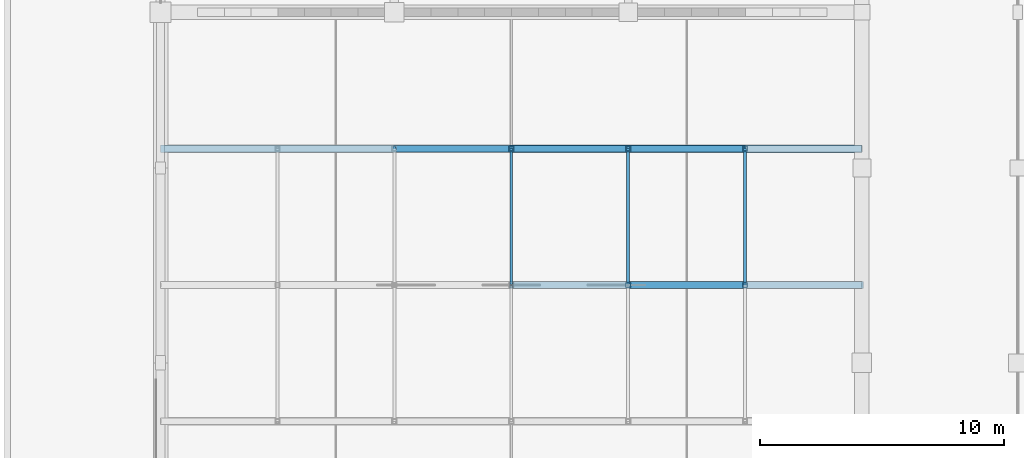
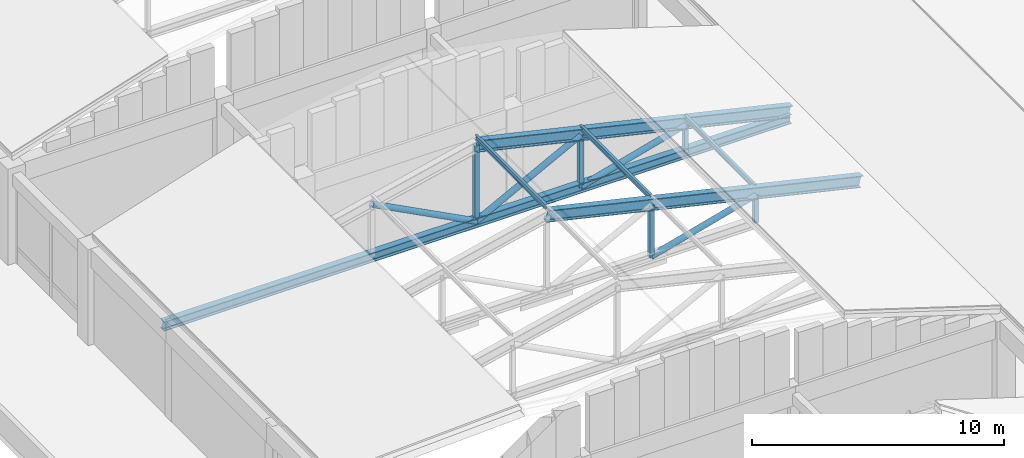
# One storey, part 8 of 61: 15 members.
"""IFC4 building model written with IfcOpenShell, lengths in metres."""

from ifc_helpers import new_model, si_unit, direction, frame, origin, origin_2d, place, context, subcontext, project, spatial, hollow_rectangle, hollow_circle, i_section, extrude, material, material_profile, profile_set, type_object, element, save


model = new_model("IFC4")

# Units and contexts
model_context = context("Model", 3, precision=1e-05, world=origin(), true_north=direction((0.0, 1.0)))
body_context = subcontext(model_context, "Body", "Model", "MODEL_VIEW")
ifc_project = project(units=[si_unit("LENGTHUNIT", "METRE"), si_unit("AREAUNIT", "SQUARE_METRE"), si_unit("VOLUMEUNIT", "CUBIC_METRE"), si_unit("PLANEANGLEUNIT", "RADIAN"), si_unit("MASSUNIT", "GRAM", prefix="KILO")], contexts=[model_context])

# Site, building, storey
site_placement = place(None, origin())
site = spatial("IfcSite", under=ifc_project, at=site_placement, CompositionType="ELEMENT")
building_placement = place(site_placement, origin())
building = spatial("IfcBuilding", under=site, at=building_placement, Name="Vellmiral Cinema and Media Centre", CompositionType="ELEMENT")
storey_placement = place(building_placement, frame((0.0, 0.0, 10.800048828125)))
storey = spatial("IfcBuildingStorey", under=building, at=storey_placement, Name="L02", CompositionType="ELEMENT", Elevation=10.800048828125)

# Members
ifc_material_1 = material(Name="Steel S355", Category="steel")
ifc_material_profile_1 = material_profile(ifc_material_1, i_section(OverallWidth=0.1201171875, OverallDepth=0.239990234375, WebThickness=0.006103515625, FlangeThickness=0.009765625, FilletRadius=0.014892578125, at=origin_2d()), Name="IPE 240")
ifc_profile_set_1 = profile_set([ifc_material_profile_1], Name="Steel S355")
member_type_1 = type_object("IfcMemberType", Name="PRL-IPE240", PredefinedType="PURLIN", material=ifc_profile_set_1)
for number, where, z_axis, x_axis, name in (
    (1, (20.800048828125, 54.39990234375, 8.2353515625), (0.0, 1.0, 0.0), (-1.0, 0.0, 0.0), "Roof Purlin 2.3.2"),
    (2, (25.60009765625, 54.39990234375, 7.038330078125), (0.0, 1.0, 0.0), (-1.0, 0.0, 0.0), "Roof Purlin 2.4.2"),
    (3, (30.39990234375, 54.39990234375, 5.841796875), (0.0, 1.0, 0.0), (-1.0, 0.0, 0.0), "Roof Purlin 2.5.2"),
):
    element("IfcMember", number, at=place(storey_placement, frame(where, z_axis=z_axis, x_axis=x_axis)), inside=storey, type_object=member_type_1, Name=name, PredefinedType="PURLIN", context=body_context, shape_type="SweptSolid", body=[
        extrude(i_section(OverallWidth=0.1201171875, OverallDepth=0.239990234375, WebThickness=0.006103515625, FlangeThickness=0.009765625, FilletRadius=0.014892578125, at=origin_2d()), origin(), (0.0, 0.0, 1.0), 5.60009765625),
    ])
ifc_material_2 = material(Name="Steel S355", Category="steel")
ifc_material_profile_2 = material_profile(ifc_material_2, hollow_circle(Radius=0.136474609375, WallThickness=0.012451171875, at=origin_2d()), Name="CHS 273.0x12.5")
ifc_profile_set_2 = profile_set([ifc_material_profile_2], Name="Steel S355")
member_type_2 = type_object("IfcMemberType", Name="TBR-CHS273", PredefinedType="BRACE", material=ifc_profile_set_2)
member_1_placement = place(storey_placement, frame((25.60009765625, 54.39990234375, 4.14990234375), z_axis=(0.964873596372, 0.0, 0.262714565686), x_axis=(0.0, 1.0, 0.0)))
element("IfcMember", 4, at=member_1_placement, inside=storey, type_object=member_type_2, Name="Roof Truss TR-02.2 Diagonal 5", PredefinedType="BRACE", context=body_context, shape_type="SweptSolid", body=[
    extrude(hollow_circle(Radius=0.136474609375, WallThickness=0.012451171875, at=origin_2d()), origin(), (0.0, 0.0, 1.0), 4.974609375),
])
for number, where, z_axis, x_axis, name in (
    (5, (16.0, 60.0, 6.653564453125), (0.886638714506, 0.0, -0.46246274438), (0.0, 1.0, 0.0), "Roof Truss TR-02.3 Diagonal 3"),
    (6, (20.800048828125, 60.0, 4.14990234375), (0.886638714506, 0.0, 0.46246274438), (0.0, 1.0, 0.0), "Roof Truss TR-02.3 Diagonal 4"),
):
    element("IfcMember", number, at=place(storey_placement, frame(where, z_axis=z_axis, x_axis=x_axis)), inside=storey, type_object=member_type_2, Name=name, PredefinedType="BRACE", context=body_context, shape_type="SweptSolid", body=[
        extrude(hollow_circle(Radius=0.136474609375, WallThickness=0.012451171875, at=origin_2d()), origin(), (0.0, 0.0, 1.0), 5.413818359375),
    ])
member_2_placement = place(storey_placement, frame((25.60009765625, 60.0, 4.14990234375), z_axis=(0.964873596372, 0.0, 0.262714565686), x_axis=(0.0, 1.0, 0.0)))
element("IfcMember", 7, at=member_2_placement, inside=storey, type_object=member_type_2, Name="Roof Truss TR-02.3 Diagonal 5", PredefinedType="BRACE", context=body_context, shape_type="SweptSolid", body=[
    extrude(hollow_circle(Radius=0.136474609375, WallThickness=0.012451171875, at=origin_2d()), origin(), (0.0, 0.0, 1.0), 4.974609375),
])
ifc_material_3 = material(Name="Steel S355", Category="steel")
ifc_material_profile_3 = material_profile(ifc_material_3, hollow_rectangle(XDim=0.199951171875, YDim=0.199951171875, WallThickness=0.010009765625, at=origin_2d()), Name="SHS 200x200x10.0")
ifc_profile_set_3 = profile_set([ifc_material_profile_3], Name="Steel S355")
member_type_3 = type_object("IfcMemberType", Name="TBR-SHS200", PredefinedType="BRACE", material=ifc_profile_set_3)
member_3_placement = place(storey_placement, frame((25.60009765625, 54.39990234375, 4.14990234375), z_axis=(0.0, 0.0, 1.0), x_axis=(1.0, 0.0, 0.0)))
element("IfcMember", 8, at=member_3_placement, inside=storey, type_object=member_type_3, Name="Roof Truss TR-02.2 Post 4", PredefinedType="BRACE", context=body_context, shape_type="SweptSolid", body=[
    extrude(hollow_rectangle(XDim=0.199951171875, YDim=0.199951171875, WallThickness=0.010009765625, at=origin_2d()), origin(), (0.0, 0.0, 1.0), 2.503662109375),
])
member_4_placement = place(storey_placement, frame((30.39990234375, 54.39990234375, 4.14990234375), z_axis=(0.0, 0.0, 1.0), x_axis=(1.0, 0.0, 0.0)))
element("IfcMember", 9, at=member_4_placement, inside=storey, type_object=member_type_3, Name="Roof Truss TR-02.2 Post 5", PredefinedType="BRACE", context=body_context, shape_type="SweptSolid", body=[
    extrude(hollow_rectangle(XDim=0.199951171875, YDim=0.199951171875, WallThickness=0.010009765625, at=origin_2d()), origin(), (0.0, 0.0, 1.0), 1.306884765625),
])
member_5_placement = place(storey_placement, frame((20.800048828125, 60.0, 4.14990234375), z_axis=(0.0, 0.0, 1.0), x_axis=(1.0, 0.0, 0.0)))
element("IfcMember", 10, at=member_5_placement, inside=storey, type_object=member_type_3, Name="Roof Truss TR-02.3 Post 3", PredefinedType="BRACE", context=body_context, shape_type="SweptSolid", body=[
    extrude(hollow_rectangle(XDim=0.199951171875, YDim=0.199951171875, WallThickness=0.010009765625, at=origin_2d()), origin(), (0.0, 0.0, 1.0), 3.700439453125),
])
member_6_placement = place(storey_placement, frame((25.60009765625, 60.0, 4.14990234375), z_axis=(0.0, 0.0, 1.0), x_axis=(1.0, 0.0, 0.0)))
element("IfcMember", 11, at=member_6_placement, inside=storey, type_object=member_type_3, Name="Roof Truss TR-02.3 Post 4", PredefinedType="BRACE", context=body_context, shape_type="SweptSolid", body=[
    extrude(hollow_rectangle(XDim=0.199951171875, YDim=0.199951171875, WallThickness=0.010009765625, at=origin_2d()), origin(), (0.0, 0.0, 1.0), 2.503662109375),
])
member_7_placement = place(storey_placement, frame((30.39990234375, 60.0, 4.14990234375), z_axis=(0.0, 0.0, 1.0), x_axis=(1.0, 0.0, 0.0)))
element("IfcMember", 12, at=member_7_placement, inside=storey, type_object=member_type_3, Name="Roof Truss TR-02.3 Post 5", PredefinedType="BRACE", context=body_context, shape_type="SweptSolid", body=[
    extrude(hollow_rectangle(XDim=0.199951171875, YDim=0.199951171875, WallThickness=0.010009765625, at=origin_2d()), origin(), (0.0, 0.0, 1.0), 1.306884765625),
])
ifc_material_4 = material(Name="Steel S355", Category="steel")
ifc_material_profile_4 = material_profile(ifc_material_4, i_section(OverallWidth=0.300048828125, OverallDepth=0.449951171875, WebThickness=0.013916015625, FlangeThickness=0.02587890625, FilletRadius=0.027099609375, at=origin_2d()), Name="HEB 450")
ifc_profile_set_4 = profile_set([ifc_material_profile_4], Name="Steel S355")
member_type_4 = type_object("IfcMemberType", Name="TCH-HEB450", PredefinedType="CHORD", material=ifc_profile_set_4)
member_8_placement = place(storey_placement, frame((6.39990234375, 60.0, 4.14990234375), z_axis=(1.0, 0.0, 0.0), x_axis=(0.0, 1.0, 0.0)))
element("IfcMember", 13, at=member_8_placement, inside=storey, type_object=member_type_4, Name="Roof Truss TR-02.3 Bottom Chord", PredefinedType="CHORD", context=body_context, shape_type="SweptSolid", body=[
    extrude(i_section(OverallWidth=0.300048828125, OverallDepth=0.449951171875, WebThickness=0.013916015625, FlangeThickness=0.02587890625, FilletRadius=0.027099609375, at=origin_2d()), origin(), (0.0, 0.0, 1.0), 28.800048828125),
])
ifc_material_5 = material(Name="Steel S355", Category="steel")
ifc_material_profile_5 = material_profile(ifc_material_5, i_section(OverallWidth=0.300048828125, OverallDepth=0.550048828125, WebThickness=0.014892578125, FlangeThickness=0.029052734375, FilletRadius=0.027099609375, at=origin_2d()), Name="HEB 550")
ifc_profile_set_5 = profile_set([ifc_material_profile_5], Name="Steel S355")
member_type_5 = type_object("IfcMemberType", Name="TCH-HEB550", PredefinedType="CHORD", material=ifc_profile_set_5)
for number, where, z_axis, x_axis, name in (
    (14, (20.800048828125, 54.39990234375, 7.850341796875), (0.973908641407, 0.0, -0.226940428732), (0.0, 1.0, 0.0), "Roof Truss TR-02.2 Top Chord E"),
    (15, (20.800048828125, 60.0, 7.850341796875), (0.973908641407, 0.0, -0.226940428732), (0.0, 1.0, 0.0), "Roof Truss TR-02.3 Top Chord E"),
):
    element("IfcMember", number, at=place(storey_placement, frame(where, z_axis=z_axis, x_axis=x_axis)), inside=storey, type_object=member_type_5, Name=name, PredefinedType="CHORD", context=body_context, shape_type="SweptSolid", body=[
        extrude(i_section(OverallWidth=0.300048828125, OverallDepth=0.550048828125, WebThickness=0.014892578125, FlangeThickness=0.029052734375, FilletRadius=0.027099609375, at=origin_2d()), origin(), (0.0, 0.0, 1.0), 14.78564453125),
    ])

save(model, "model.ifc")
